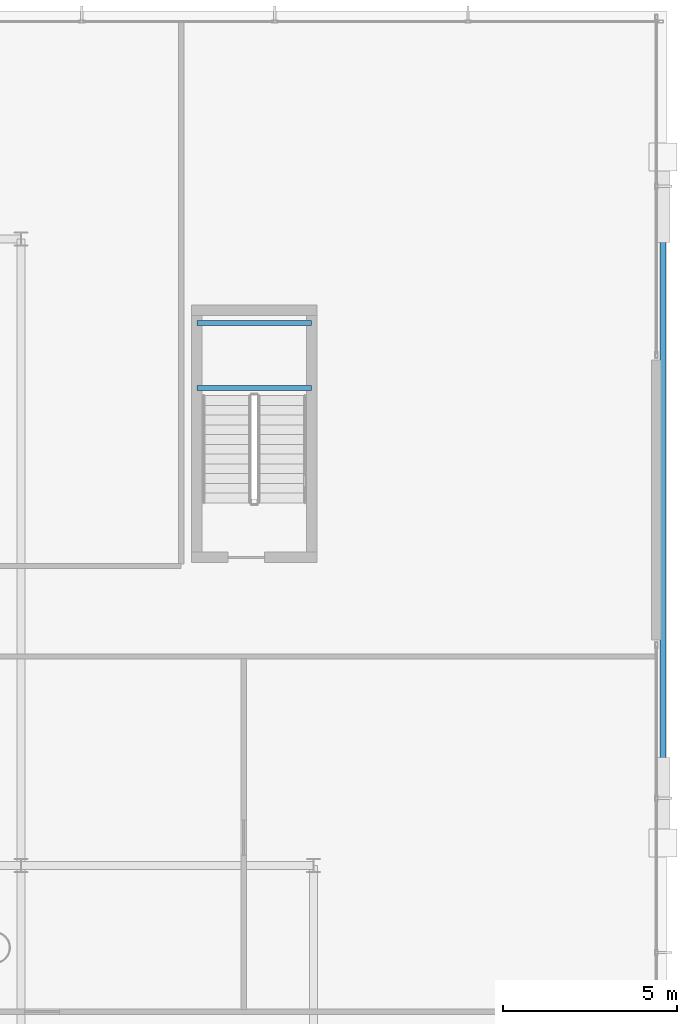
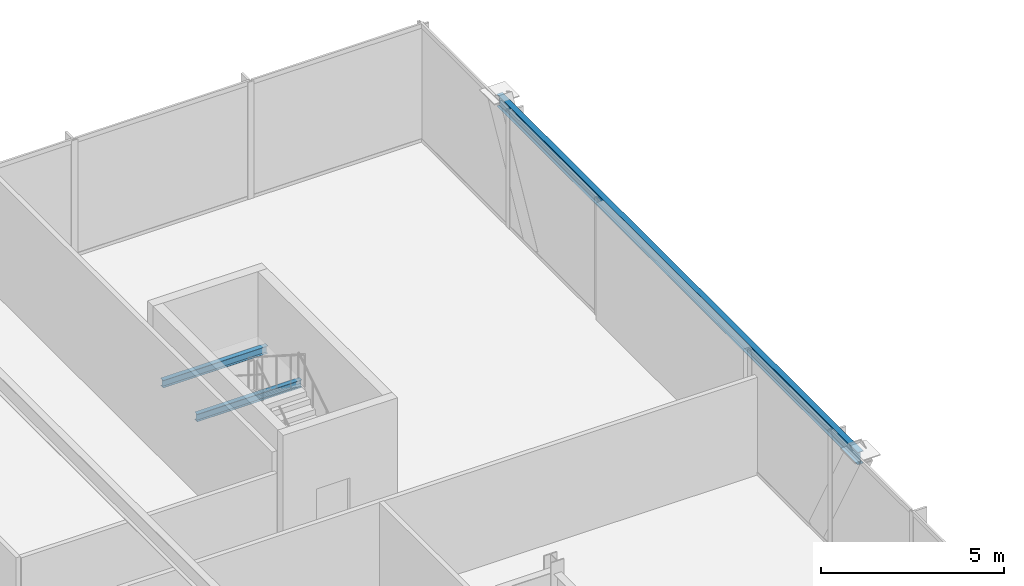
# One storey, part 31 of 46: 3 beams.
"""IFC4 building model written with IfcOpenShell, lengths in metres."""

from ifc_helpers import new_model, si_unit, direction, frame, origin, origin_2d, place, context, subcontext, project, spatial, i_section, extrude, material, material_profile, profile_set, type_object, element, save


model = new_model("IFC4")

# Units and contexts
model_context = context("Model", 3, precision=1e-05, world=origin(), true_north=direction((0.0, 1.0)))
body_context = subcontext(model_context, "Body", "Model", "MODEL_VIEW")
ifc_project = project(units=[si_unit("LENGTHUNIT", "METRE"), si_unit("AREAUNIT", "SQUARE_METRE"), si_unit("VOLUMEUNIT", "CUBIC_METRE"), si_unit("PLANEANGLEUNIT", "RADIAN"), si_unit("MASSUNIT", "GRAM", prefix="KILO")], contexts=[model_context])

# Site, building, storey
site_placement = place(None, origin())
site = spatial("IfcSite", under=ifc_project, at=site_placement, CompositionType="ELEMENT")
building_placement = place(site_placement, origin())
building = spatial("IfcBuilding", under=site, at=building_placement, Name="Orvanel Arch Residences", CompositionType="ELEMENT")
storey_placement = place(building_placement, frame((0.0, 0.0, 14.10009765625)))
storey = spatial("IfcBuildingStorey", under=building, at=storey_placement, Name="L03", CompositionType="ELEMENT", Elevation=14.10009765625)

# Beams
ifc_material = material(Name="Structural steel AS/NZS 3679.1 Grade 300 (300 MPa)", Category="steel")
ifc_material_profile_1 = material_profile(ifc_material, i_section(OverallWidth=0.14599609375, OverallDepth=0.251953125, WebThickness=0.006103515625, FlangeThickness=0.008544921875, at=origin_2d()), Name="250UB31.4")
ifc_profile_set_1 = profile_set([ifc_material_profile_1], Name="Structural steel AS/NZS 3679.1 Grade 300 (300 MPa)")
beam_type_1 = type_object("IfcBeamType", Name="BJ-250UB", PredefinedType="JOIST", material=ifc_profile_set_1)
for number, where, z_axis, x_axis, name in (
    (1, (51.25, 43.719970703125, 1.823974609375), (1.0, 0.0, 0.0), (0.0, 1.0, 0.0), "L03 ST-4 Half-Landing Support Beam 1.1"),
    (2, (51.25, 45.580078125, 1.823974609375), (1.0, 0.0, 0.0), (0.0, 1.0, 0.0), "L03 ST-4 Half-Landing Support Beam 1.2"),
):
    element("IfcBeam", number, at=place(storey_placement, frame(where, z_axis=z_axis, x_axis=x_axis)), inside=storey, type_object=beam_type_1, Name=name, PredefinedType="JOIST", context=body_context, shape_type="SweptSolid", body=[
        extrude(i_section(OverallWidth=0.14599609375, OverallDepth=0.251953125, WebThickness=0.006103515625, FlangeThickness=0.008544921875, at=origin_2d()), origin(), (0.0, 0.0, 1.0), 3.300048828125),
    ])
ifc_material_profile_2 = material_profile(ifc_material, i_section(OverallWidth=0.177978515625, OverallDepth=0.406005859375, WebThickness=0.0078125, FlangeThickness=0.0126953125, at=origin_2d()), Name="410UB59.7")
ifc_profile_set_2 = profile_set([ifc_material_profile_2], Name="Structural steel AS/NZS 3679.1 Grade 300 (300 MPa)")
beam_type_2 = type_object("IfcBeamType", Name="OB-410UB-EXT", PredefinedType="SPANDREL", material=ifc_profile_set_2)
beam_placement = place(storey_placement, frame((64.639892578125, 30.64990234375, 3.697021484375), z_axis=(0.0, 1.0, 0.0), x_axis=(-1.0, 0.0, 0.0)))
element("IfcBeam", 3, at=beam_placement, inside=storey, type_object=beam_type_2, Name="L03 Podium V-Frame Collector Spandrel Beam E2", PredefinedType="SPANDREL", context=body_context, shape_type="SweptSolid", body=[
    extrude(i_section(OverallWidth=0.177978515625, OverallDepth=0.406005859375, WebThickness=0.0078125, FlangeThickness=0.0126953125, at=origin_2d()), origin(), (0.0, 0.0, 1.0), 19.7001953125),
])

save(model, "model.ifc")
